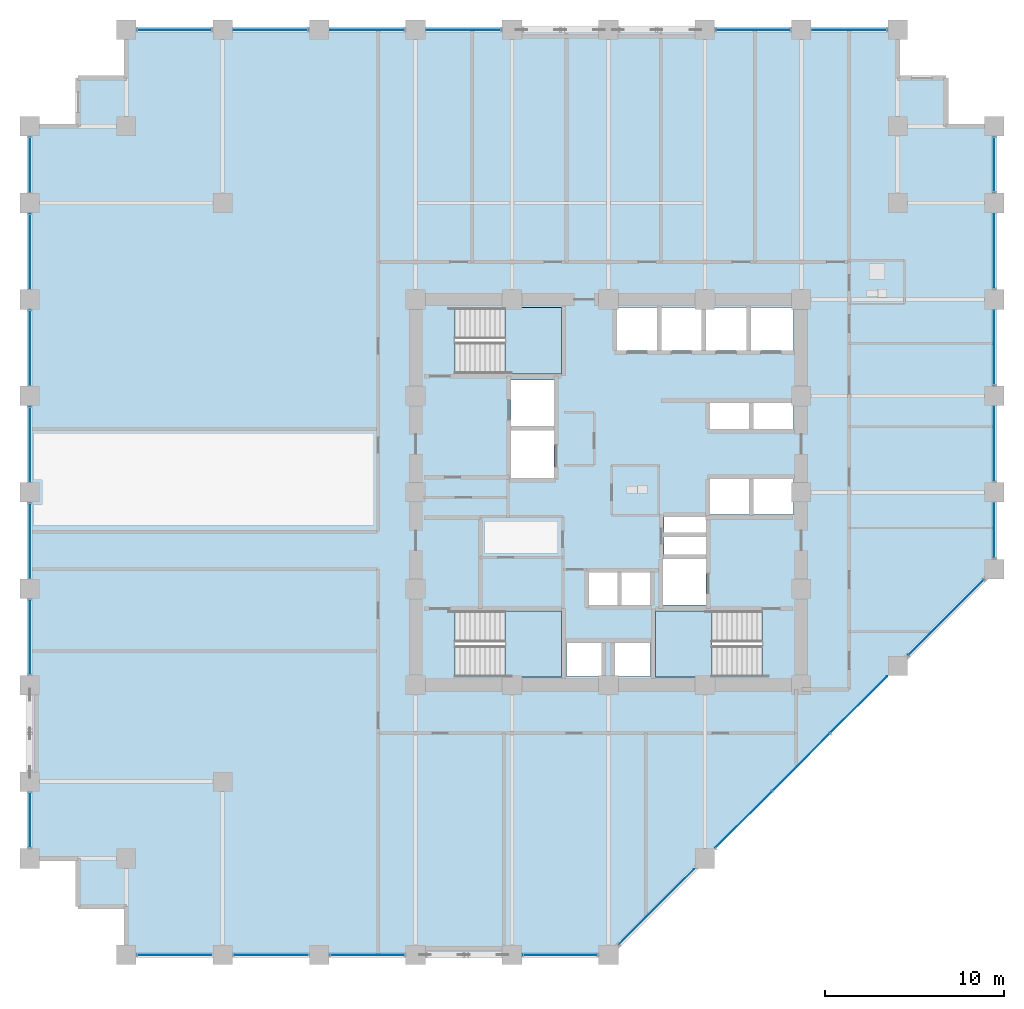
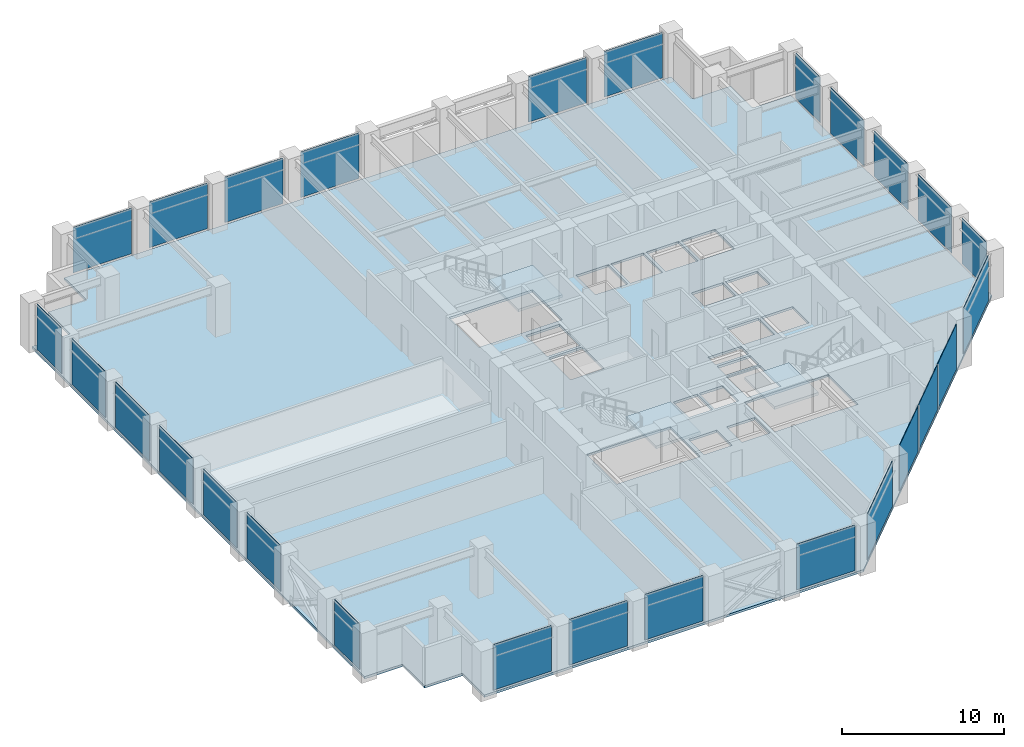
# One storey, part 17 of 25: 27 plates, 4 slabs, 11 elements without a shape of their own.
"""IFC4 building model written with IfcOpenShell, lengths in metres."""

from ifc_helpers import new_model, si_unit, direction, frame, frame_2d, origin, place, context, subcontext, project, spatial, polyline, rectangle, outline, extrude, material, layer, layer_set, type_object, element, aggregate, save


model = new_model("IFC4")

# Units and contexts
model_context = context("Model", 3, precision=1e-05, world=origin(), true_north=direction((0.0, 1.0)))
body_context = subcontext(model_context, "Body", "Model", "MODEL_VIEW")
ifc_project = project(units=[si_unit("LENGTHUNIT", "METRE"), si_unit("AREAUNIT", "SQUARE_METRE"), si_unit("VOLUMEUNIT", "CUBIC_METRE"), si_unit("PLANEANGLEUNIT", "RADIAN"), si_unit("MASSUNIT", "GRAM", prefix="KILO")], contexts=[model_context])

# Site, building, storey
site_placement = place(None, origin())
site = spatial("IfcSite", under=ifc_project, at=site_placement, CompositionType="ELEMENT")
building_placement = place(site_placement, origin())
building = spatial("IfcBuilding", under=site, at=building_placement, Name="Surkhivell Harbour Commons", CompositionType="ELEMENT")
storey_placement = place(building_placement, frame((0.0, 0.0, 124.5)))
storey = spatial("IfcBuildingStorey", under=building, at=storey_placement, Name="L32", CompositionType="ELEMENT", Elevation=124.5)

# Curtain wall, plates
ifc_material_1 = material(Name="Anodised pale-metal aluminium and insulated glazing", Category="aluminium")
ifc_layer_1 = layer(ifc_material_1, 0.205078125)
ifc_layer_set_1 = layer_set([ifc_layer_1], Name="Anodised pale-metal aluminium and insulated glazing")
curtain_wall_type = type_object("IfcCurtainWallType", Name="CW-SYS-Z2", PredefinedType="NOTDEFINED", material=ifc_layer_set_1)
curtain_wall_1_placement = place(storey_placement, origin())
curtain_wall_1 = element("IfcCurtainWall", 1, at=curtain_wall_1_placement, inside=storey, type_object=curtain_wall_type, Name="L32 Curtain Wall CW-L32-E00S1", PredefinedType="NOTDEFINED")
ifc_material_2 = material(Name="High-pressure typhoon laminated vision glass", Category="glass")
ifc_layer_2 = layer(ifc_material_2, 0.035888671875)
ifc_layer_set_2 = layer_set([ifc_layer_2], Name="High-pressure typhoon laminated vision glass")
plate_type = type_object("IfcPlateType", Name="CWP-GLZ-36", PredefinedType="CURTAIN_PANEL", material=ifc_layer_set_2)
plate_1_placement = place(storey_placement, frame((-26.373046875, -25.89990234375, 0.14990234375), z_axis=(0.0, 0.0, 1.0), x_axis=(1.0, 0.0, 0.0)))
plate_1 = element("IfcPlate", 2, at=plate_1_placement, type_object=plate_type, Name="CW-Z2 panel 1.1", PredefinedType="CURTAIN_PANEL", context=body_context, shape_type="SweptSolid", body=[
    extrude(rectangle(XDim=4.14599609375, YDim=0.035888671875, at=frame_2d((2.072998046875, 0.0))), origin(), (0.0, 0.0, 1.0), 3.420166015625),
])
plate_2_placement = place(storey_placement, frame((-20.972900390625, -25.89990234375, 0.14990234375), z_axis=(0.0, 0.0, 1.0), x_axis=(1.0, 0.0, 0.0)))
plate_2 = element("IfcPlate", 3, at=plate_2_placement, type_object=plate_type, Name="CW-Z2 panel 2.1", PredefinedType="CURTAIN_PANEL", context=body_context, shape_type="SweptSolid", body=[
    extrude(rectangle(XDim=4.14599609375, YDim=0.035888671875, at=frame_2d((2.072998046875, 0.0))), origin(), (0.0, 0.0, 1.0), 3.420166015625),
])
plate_3_placement = place(storey_placement, frame((-15.572998046875, -25.89990234375, 0.14990234375), z_axis=(0.0, 0.0, 1.0), x_axis=(1.0, 0.0, 0.0)))
plate_3 = element("IfcPlate", 4, at=plate_3_placement, type_object=plate_type, Name="CW-Z2 panel 3.1", PredefinedType="CURTAIN_PANEL", context=body_context, shape_type="SweptSolid", body=[
    extrude(rectangle(XDim=4.14599609375, YDim=0.035888671875, at=frame_2d((2.072998046875, 0.0))), origin(), (0.0, 0.0, 1.0), 3.420166015625),
])
aggregate(curtain_wall_1, [plate_1, plate_2, plate_3])

# Curtain wall, plate
curtain_wall_2_placement = place(storey_placement, origin())
curtain_wall_2 = element("IfcCurtainWall", 5, at=curtain_wall_2_placement, inside=storey, type_object=curtain_wall_type, Name="L32 Curtain Wall CW-L32-E00S2", PredefinedType="NOTDEFINED")
plate_4_placement = place(storey_placement, frame((-4.77294921875, -25.89990234375, 0.14990234375), z_axis=(0.0, 0.0, 1.0), x_axis=(1.0, 0.0, 0.0)))
plate_4 = element("IfcPlate", 6, at=plate_4_placement, type_object=plate_type, Name="CW-Z2 panel 1.1", PredefinedType="CURTAIN_PANEL", context=body_context, shape_type="SweptSolid", body=[
    extrude(rectangle(XDim=4.14599609375, YDim=0.035888671875, at=frame_2d((2.072998046875, 0.0))), origin(), (0.0, 0.0, 1.0), 3.420166015625),
])
aggregate(curtain_wall_2, [plate_4])

# Curtain wall, plates
curtain_wall_3_placement = place(storey_placement, origin())
curtain_wall_3 = element("IfcCurtainWall", 7, at=curtain_wall_3_placement, inside=storey, type_object=curtain_wall_type, Name="L32 Curtain Wall CW-L32-E01", PredefinedType="NOTDEFINED")
plate_5_placement = place(storey_placement, frame((0.604736328125, -25.295166015625, 0.14990234375), z_axis=(0.0, 0.0, 1.0), x_axis=(0.707106781187, 0.707106781187, 0.0)))
plate_5 = element("IfcPlate", 8, at=plate_5_placement, type_object=plate_type, Name="CW-Z2 panel 1.1", PredefinedType="CURTAIN_PANEL", context=body_context, shape_type="SweptSolid", body=[
    extrude(rectangle(XDim=5.92626953125, YDim=0.035888671875, at=frame_2d((2.963134765625, 0.0))), origin(), (0.0, 0.0, 1.0), 3.420166015625),
])
plate_6_placement = place(storey_placement, frame((6.004638671875, -19.895263671875, 0.14990234375), z_axis=(0.0, 0.0, 1.0), x_axis=(0.707134159244, 0.707079402069, 0.0)))
plate_6 = element("IfcPlate", 9, at=plate_6_placement, type_object=plate_type, Name="CW-Z2 panel 2.1", PredefinedType="CURTAIN_PANEL", context=body_context, shape_type="SweptSolid", body=[
    extrude(rectangle(XDim=4.45849609375, YDim=0.035888671875, at=frame_2d((2.229248046875, 0.0))), origin(), (0.0, 0.0, 1.0), 3.420166015625),
])
plate_7_placement = place(storey_placement, frame((9.21044921875, -16.689697265625, 0.14990234375), z_axis=(0.0, 0.0, 1.0), x_axis=(0.707106781187, 0.707106781187, 0.0)))
plate_7 = element("IfcPlate", 10, at=plate_7_placement, type_object=plate_type, Name="CW-Z2 panel 3.1", PredefinedType="CURTAIN_PANEL", context=body_context, shape_type="SweptSolid", body=[
    extrude(rectangle(XDim=4.49609375, YDim=0.035888671875, at=frame_2d((2.248046875, 0.0))), origin(), (0.0, 0.0, 1.0), 3.420166015625),
])
plate_8_placement = place(storey_placement, frame((12.442626953125, -13.457275390625, 0.14990234375), z_axis=(0.0, 0.0, 1.0), x_axis=(0.707106781187, 0.707106781187, 0.0)))
plate_8 = element("IfcPlate", 11, at=plate_8_placement, type_object=plate_type, Name="CW-Z2 panel 4.1", PredefinedType="CURTAIN_PANEL", context=body_context, shape_type="SweptSolid", body=[
    extrude(rectangle(XDim=4.45849609375, YDim=0.035888671875, at=frame_2d((2.229248046875, 0.0))), origin(), (0.0, 0.0, 1.0), 3.420166015625),
])
plate_9_placement = place(storey_placement, frame((16.8046875, -9.09521484375, 0.14990234375), z_axis=(0.0, 0.0, 1.0), x_axis=(0.707127378829, 0.707086182944, 0.0)))
plate_9 = element("IfcPlate", 12, at=plate_9_placement, type_object=plate_type, Name="CW-Z2 panel 5.1", PredefinedType="CURTAIN_PANEL", context=body_context, shape_type="SweptSolid", body=[
    extrude(rectangle(XDim=5.92626953125, YDim=0.035888671875, at=frame_2d((2.963134765625, 0.0))), origin(), (0.0, 0.0, 1.0), 3.420166015625),
])
aggregate(curtain_wall_3, [plate_5, plate_6, plate_7, plate_8, plate_9])

curtain_wall_4_placement = place(storey_placement, origin())
curtain_wall_4 = element("IfcCurtainWall", 13, at=curtain_wall_4_placement, inside=storey, type_object=curtain_wall_type, Name="L32 Curtain Wall CW-L32-E02", PredefinedType="NOTDEFINED")
plate_10_placement = place(storey_placement, frame((21.60009765625, -3.673095703125, 0.14990234375), z_axis=(0.0, 0.0, 1.0), x_axis=(0.0, 1.0, 0.0)))
plate_10 = element("IfcPlate", 14, at=plate_10_placement, type_object=plate_type, Name="CW-Z2 panel 1.1", PredefinedType="CURTAIN_PANEL", context=body_context, shape_type="SweptSolid", body=[
    extrude(rectangle(XDim=3.046142578125, YDim=0.035888671875, at=frame_2d((1.52294921875, 0.0))), origin(), (0.0, 0.0, 1.0), 3.420166015625),
])
plate_11_placement = place(storey_placement, frame((21.60009765625, 0.626953125, 0.14990234375), z_axis=(0.0, 0.0, 1.0), x_axis=(0.0, 1.0, 0.0)))
plate_11 = element("IfcPlate", 15, at=plate_11_placement, type_object=plate_type, Name="CW-Z2 panel 2.1", PredefinedType="CURTAIN_PANEL", context=body_context, shape_type="SweptSolid", body=[
    extrude(rectangle(XDim=4.14599609375, YDim=0.035888671875, at=frame_2d((2.072998046875, 0.0))), origin(), (0.0, 0.0, 1.0), 3.420166015625),
])
plate_12_placement = place(storey_placement, frame((21.60009765625, 6.027099609375, 0.14990234375), z_axis=(0.0, 0.0, 1.0), x_axis=(0.0, 1.0, 0.0)))
plate_12 = element("IfcPlate", 16, at=plate_12_placement, type_object=plate_type, Name="CW-Z2 panel 3.1", PredefinedType="CURTAIN_PANEL", context=body_context, shape_type="SweptSolid", body=[
    extrude(rectangle(XDim=4.14599609375, YDim=0.035888671875, at=frame_2d((2.072998046875, 0.0))), origin(), (0.0, 0.0, 1.0), 3.420166015625),
])
plate_13_placement = place(storey_placement, frame((21.60009765625, 11.427001953125, 0.14990234375), z_axis=(0.0, 0.0, 1.0), x_axis=(0.0, 1.0, 0.0)))
plate_13 = element("IfcPlate", 17, at=plate_13_placement, type_object=plate_type, Name="CW-Z2 panel 4.1", PredefinedType="CURTAIN_PANEL", context=body_context, shape_type="SweptSolid", body=[
    extrude(rectangle(XDim=4.14599609375, YDim=0.035888671875, at=frame_2d((2.072998046875, 0.0))), origin(), (0.0, 0.0, 1.0), 3.420166015625),
])
plate_14_placement = place(storey_placement, frame((21.60009765625, 16.826904296875, 0.14990234375), z_axis=(0.0, 0.0, 1.0), x_axis=(0.0, 1.0, 0.0)))
plate_14 = element("IfcPlate", 18, at=plate_14_placement, type_object=plate_type, Name="CW-Z2 panel 5.1", PredefinedType="CURTAIN_PANEL", context=body_context, shape_type="SweptSolid", body=[
    extrude(rectangle(XDim=3.046142578125, YDim=0.035888671875, at=frame_2d((1.52294921875, 0.0))), origin(), (0.0, 0.0, 1.0), 3.420166015625),
])
aggregate(curtain_wall_4, [plate_10, plate_11, plate_12, plate_13, plate_14])

curtain_wall_5_placement = place(storey_placement, origin())
curtain_wall_5 = element("IfcCurtainWall", 19, at=curtain_wall_5_placement, inside=storey, type_object=curtain_wall_type, Name="L32 Curtain Wall CW-L32-E07S1", PredefinedType="NOTDEFINED")
plate_15_placement = place(storey_placement, frame((15.572998046875, 25.89990234375, 0.14990234375), z_axis=(0.0, 0.0, 1.0), x_axis=(-1.0, 0.0, 0.0)))
plate_15 = element("IfcPlate", 20, at=plate_15_placement, type_object=plate_type, Name="CW-Z2 panel 1.1", PredefinedType="CURTAIN_PANEL", context=body_context, shape_type="SweptSolid", body=[
    extrude(rectangle(XDim=4.14599609375, YDim=0.035888671875, at=frame_2d((2.072998046875, 0.0))), origin(), (0.0, 0.0, 1.0), 3.420166015625),
])
plate_16_placement = place(storey_placement, frame((10.173095703125, 25.89990234375, 0.14990234375), z_axis=(0.0, 0.0, 1.0), x_axis=(-1.0, 0.0, 0.0)))
plate_16 = element("IfcPlate", 21, at=plate_16_placement, type_object=plate_type, Name="CW-Z2 panel 2.1", PredefinedType="CURTAIN_PANEL", context=body_context, shape_type="SweptSolid", body=[
    extrude(rectangle(XDim=4.14599609375, YDim=0.035888671875, at=frame_2d((2.072998046875, 0.0))), origin(), (0.0, 0.0, 1.0), 3.420166015625),
])
aggregate(curtain_wall_5, [plate_15, plate_16])

curtain_wall_6_placement = place(storey_placement, origin())
curtain_wall_6 = element("IfcCurtainWall", 22, at=curtain_wall_6_placement, inside=storey, type_object=curtain_wall_type, Name="L32 Curtain Wall CW-L32-E07S2", PredefinedType="NOTDEFINED")
plate_17_placement = place(storey_placement, frame((-6.027099609375, 25.89990234375, 0.14990234375), z_axis=(0.0, 0.0, 1.0), x_axis=(-1.0, 0.0, 0.0)))
plate_17 = element("IfcPlate", 23, at=plate_17_placement, type_object=plate_type, Name="CW-Z2 panel 1.1", PredefinedType="CURTAIN_PANEL", context=body_context, shape_type="SweptSolid", body=[
    extrude(rectangle(XDim=4.14599609375, YDim=0.035888671875, at=frame_2d((2.072998046875, 0.0))), origin(), (0.0, 0.0, 1.0), 3.420166015625),
])
plate_18_placement = place(storey_placement, frame((-11.427001953125, 25.89990234375, 0.14990234375), z_axis=(0.0, 0.0, 1.0), x_axis=(-1.0, 0.0, 0.0)))
plate_18 = element("IfcPlate", 24, at=plate_18_placement, type_object=plate_type, Name="CW-Z2 panel 2.1", PredefinedType="CURTAIN_PANEL", context=body_context, shape_type="SweptSolid", body=[
    extrude(rectangle(XDim=4.14599609375, YDim=0.035888671875, at=frame_2d((2.072998046875, 0.0))), origin(), (0.0, 0.0, 1.0), 3.420166015625),
])
plate_19_placement = place(storey_placement, frame((-16.826904296875, 25.89990234375, 0.14990234375), z_axis=(0.0, 0.0, 1.0), x_axis=(-1.0, 0.0, 0.0)))
plate_19 = element("IfcPlate", 25, at=plate_19_placement, type_object=plate_type, Name="CW-Z2 panel 3.1", PredefinedType="CURTAIN_PANEL", context=body_context, shape_type="SweptSolid", body=[
    extrude(rectangle(XDim=4.14599609375, YDim=0.035888671875, at=frame_2d((2.072998046875, 0.0))), origin(), (0.0, 0.0, 1.0), 3.420166015625),
])
plate_20_placement = place(storey_placement, frame((-22.22705078125, 25.89990234375, 0.14990234375), z_axis=(0.0, 0.0, 1.0), x_axis=(-1.0, 0.0, 0.0)))
plate_20 = element("IfcPlate", 26, at=plate_20_placement, type_object=plate_type, Name="CW-Z2 panel 4.1", PredefinedType="CURTAIN_PANEL", context=body_context, shape_type="SweptSolid", body=[
    extrude(rectangle(XDim=4.14599609375, YDim=0.035888671875, at=frame_2d((2.072998046875, 0.0))), origin(), (0.0, 0.0, 1.0), 3.420166015625),
])
aggregate(curtain_wall_6, [plate_17, plate_18, plate_19, plate_20])

curtain_wall_7_placement = place(storey_placement, origin())
curtain_wall_7 = element("IfcCurtainWall", 27, at=curtain_wall_7_placement, inside=storey, type_object=curtain_wall_type, Name="L32 Curtain Wall CW-L32-E12S1", PredefinedType="NOTDEFINED")
plate_21_placement = place(storey_placement, frame((-32.39990234375, 19.873046875, 0.14990234375), z_axis=(0.0, 0.0, 1.0), x_axis=(0.0, -1.0, 0.0)))
plate_21 = element("IfcPlate", 28, at=plate_21_placement, type_object=plate_type, Name="CW-Z2 panel 1.1", PredefinedType="CURTAIN_PANEL", context=body_context, shape_type="SweptSolid", body=[
    extrude(rectangle(XDim=3.046142578125, YDim=0.035888671875, at=frame_2d((1.52294921875, 0.0))), origin(), (0.0, 0.0, 1.0), 3.420166015625),
])
plate_22_placement = place(storey_placement, frame((-32.39990234375, 15.572998046875, 0.14990234375), z_axis=(0.0, 0.0, 1.0), x_axis=(0.0, -1.0, 0.0)))
plate_22 = element("IfcPlate", 29, at=plate_22_placement, type_object=plate_type, Name="CW-Z2 panel 2.1", PredefinedType="CURTAIN_PANEL", context=body_context, shape_type="SweptSolid", body=[
    extrude(rectangle(XDim=4.14599609375, YDim=0.035888671875, at=frame_2d((2.072998046875, 0.0))), origin(), (0.0, 0.0, 1.0), 3.420166015625),
])
plate_23_placement = place(storey_placement, frame((-32.39990234375, 10.173095703125, 0.14990234375), z_axis=(0.0, 0.0, 1.0), x_axis=(0.0, -1.0, 0.0)))
plate_23 = element("IfcPlate", 30, at=plate_23_placement, type_object=plate_type, Name="CW-Z2 panel 3.1", PredefinedType="CURTAIN_PANEL", context=body_context, shape_type="SweptSolid", body=[
    extrude(rectangle(XDim=4.14599609375, YDim=0.035888671875, at=frame_2d((2.072998046875, 0.0))), origin(), (0.0, 0.0, 1.0), 3.420166015625),
])
plate_24_placement = place(storey_placement, frame((-32.39990234375, 4.77294921875, 0.14990234375), z_axis=(0.0, 0.0, 1.0), x_axis=(0.0, -1.0, 0.0)))
plate_24 = element("IfcPlate", 31, at=plate_24_placement, type_object=plate_type, Name="CW-Z2 panel 4.1", PredefinedType="CURTAIN_PANEL", context=body_context, shape_type="SweptSolid", body=[
    extrude(rectangle(XDim=4.14599609375, YDim=0.035888671875, at=frame_2d((2.072998046875, 0.0))), origin(), (0.0, 0.0, 1.0), 3.420166015625),
])
plate_25_placement = place(storey_placement, frame((-32.39990234375, -0.626953125, 0.14990234375), z_axis=(0.0, 0.0, 1.0), x_axis=(0.0, -1.0, 0.0)))
plate_25 = element("IfcPlate", 32, at=plate_25_placement, type_object=plate_type, Name="CW-Z2 panel 5.1", PredefinedType="CURTAIN_PANEL", context=body_context, shape_type="SweptSolid", body=[
    extrude(rectangle(XDim=4.14599609375, YDim=0.035888671875, at=frame_2d((2.072998046875, 0.0))), origin(), (0.0, 0.0, 1.0), 3.420166015625),
])
plate_26_placement = place(storey_placement, frame((-32.39990234375, -6.027099609375, 0.14990234375), z_axis=(0.0, 0.0, 1.0), x_axis=(0.0, -1.0, 0.0)))
plate_26 = element("IfcPlate", 33, at=plate_26_placement, type_object=plate_type, Name="CW-Z2 panel 6.1", PredefinedType="CURTAIN_PANEL", context=body_context, shape_type="SweptSolid", body=[
    extrude(rectangle(XDim=4.14599609375, YDim=0.035888671875, at=frame_2d((2.072998046875, 0.0))), origin(), (0.0, 0.0, 1.0), 3.420166015625),
])
aggregate(curtain_wall_7, [plate_21, plate_22, plate_23, plate_24, plate_25, plate_26])

# Curtain wall, plate
curtain_wall_8_placement = place(storey_placement, origin())
curtain_wall_8 = element("IfcCurtainWall", 34, at=curtain_wall_8_placement, inside=storey, type_object=curtain_wall_type, Name="L32 Curtain Wall CW-L32-E12S2", PredefinedType="NOTDEFINED")
plate_27_placement = place(storey_placement, frame((-32.39990234375, -16.826904296875, 0.14990234375), z_axis=(0.0, 0.0, 1.0), x_axis=(0.0, -1.0, 0.0)))
plate_27 = element("IfcPlate", 35, at=plate_27_placement, type_object=plate_type, Name="CW-Z2 panel 1.1", PredefinedType="CURTAIN_PANEL", context=body_context, shape_type="SweptSolid", body=[
    extrude(rectangle(XDim=3.046142578125, YDim=0.035888671875, at=frame_2d((1.52294921875, 0.0))), origin(), (0.0, 0.0, 1.0), 3.420166015625),
])
aggregate(curtain_wall_8, [plate_27])

# Stair, slab
ifc_material_3 = material(Name="Precast concrete C45/55", Category="concrete")
stair_type = type_object("IfcStairType", Name="STR-DL-375", PredefinedType="HALF_TURN_STAIR", material=ifc_material_3)
stair_1_placement = place(storey_placement, origin())
stair_1 = element("IfcStair", 36, at=stair_1_placement, inside=storey, type_object=stair_type, Name="L32 Core Exit Stair ST1", PredefinedType="HALF_TURN_STAIR")
ifc_material_4 = material(Name="Reinforced concrete C45/55", Category="concrete")
ifc_layer_3 = layer(ifc_material_4, 0.199951171875)
ifc_layer_set_3 = layer_set([ifc_layer_3], Name="Reinforced concrete C45/55")
slab_type_1 = type_object("IfcSlabType", Name="SLB-ST-LND200", PredefinedType="LANDING", material=ifc_layer_set_3)
slab_1_placement = place(storey_placement, frame((0.0, 0.0, 1.675048828125)))
slab_1 = element("IfcSlab", 37, at=slab_1_placement, type_object=slab_type_1, Name="ST1 landing 1", PredefinedType="LANDING", context=body_context, shape_type="SweptSolid", body=[
    extrude(outline(polyline([(-5.7900390625, 6.639892578125), (-2.639892578125, 6.639892578125), (-2.639892578125, 10.340087890625), (-5.7900390625, 10.340087890625), (-5.7900390625, 6.639892578125)])), origin(), (0.0, 0.0, 1.0), 0.199951171875),
])
aggregate(stair_1, [slab_1])

stair_2_placement = place(storey_placement, origin())
stair_2 = element("IfcStair", 38, at=stair_2_placement, inside=storey, type_object=stair_type, Name="L32 Core Exit Stair ST2", PredefinedType="HALF_TURN_STAIR")
slab_2_placement = place(storey_placement, frame((0.0, 0.0, 1.675048828125)))
slab_2 = element("IfcSlab", 39, at=slab_2_placement, type_object=slab_type_1, Name="ST2 landing 1", PredefinedType="LANDING", context=body_context, shape_type="SweptSolid", body=[
    extrude(outline(polyline([(5.7900390625, -6.639892578125), (2.639892578125, -6.639892578125), (2.639892578125, -10.340087890625), (5.7900390625, -10.340087890625), (5.7900390625, -6.639892578125)])), origin(), (0.0, 0.0, 1.0), 0.199951171875),
])
aggregate(stair_2, [slab_2])

stair_3_placement = place(storey_placement, origin())
stair_3 = element("IfcStair", 40, at=stair_3_placement, inside=storey, type_object=stair_type, Name="L32 Core Exit Stair ST3", PredefinedType="HALF_TURN_STAIR")
slab_3_placement = place(storey_placement, frame((0.0, 0.0, 1.675048828125)))
slab_3 = element("IfcSlab", 41, at=slab_3_placement, type_object=slab_type_1, Name="ST3 landing 1", PredefinedType="LANDING", context=body_context, shape_type="SweptSolid", body=[
    extrude(outline(polyline([(-5.7900390625, -10.340087890625), (-2.639892578125, -10.340087890625), (-2.639892578125, -6.639892578125), (-5.7900390625, -6.639892578125), (-5.7900390625, -10.340087890625)])), origin(), (0.0, 0.0, 1.0), 0.199951171875),
])
aggregate(stair_3, [slab_3])

# Slab
ifc_material_5 = material(Name="Concrete C45/55", Category="concrete")
ifc_layer_4 = layer(ifc_material_5, 0.179931640625)
ifc_layer_set_4 = layer_set([ifc_layer_4], Name="Concrete C45/55")
slab_type_2 = type_object("IfcSlabType", Name="SLB-TYP-180", PredefinedType="FLOOR", material=ifc_layer_set_4)
slab_4_placement = place(storey_placement, frame((0.0, 0.0, -0.179931640625)))
element("IfcSlab", 42, at=slab_4_placement, inside=storey, type_object=slab_type_2, Name="L32 Structural Floor Slab", PredefinedType="FLOOR", context=body_context, shape_type="SweptSolid", body=[
    extrude(outline(polyline([(-27.0, -25.89990234375), (0.0, -25.89990234375), (21.60009765625, -4.300048828125), (21.60009765625, 20.5), (18.89990234375, 20.5), (18.89990234375, 23.199951171875), (16.199951171875, 23.199951171875), (16.199951171875, 25.89990234375), (-27.0, 25.89990234375), (-27.0, 23.199951171875), (-29.699951171875, 23.199951171875), (-29.699951171875, 20.5), (-32.39990234375, 20.5), (-32.39990234375, -20.5), (-29.699951171875, -20.5), (-29.699951171875, -23.199951171875), (-27.0, -23.199951171875), (-27.0, -25.89990234375)]), holes=[polyline([(-8.590087890625, 6.639892578125), (-2.639892578125, 6.639892578125), (-2.639892578125, 10.340087890625), (-8.590087890625, 10.340087890625), (-8.590087890625, 6.639892578125)]), polyline([(8.590087890625, -6.639892578125), (2.639892578125, -6.639892578125), (2.639892578125, -10.340087890625), (8.590087890625, -10.340087890625), (8.590087890625, -6.639892578125)]), polyline([(-8.590087890625, -10.340087890625), (-2.639892578125, -10.340087890625), (-2.639892578125, -6.639892578125), (-8.590087890625, -6.639892578125), (-8.590087890625, -10.340087890625)]), polyline([(0.449951171875, 7.949951171875), (2.75, 7.949951171875), (2.75, 10.35009765625), (0.449951171875, 10.35009765625), (0.449951171875, 7.949951171875)]), polyline([(2.949951171875, 7.949951171875), (5.25, 7.949951171875), (5.25, 10.35009765625), (2.949951171875, 10.35009765625), (2.949951171875, 7.949951171875)]), polyline([(5.449951171875, 7.949951171875), (7.75, 7.949951171875), (7.75, 10.35009765625), (5.449951171875, 10.35009765625), (5.449951171875, 7.949951171875)]), polyline([(7.949951171875, 7.949951171875), (10.35009765625, 7.949951171875), (10.35009765625, 10.35009765625), (7.949951171875, 10.35009765625), (7.949951171875, 7.949951171875)]), polyline([(5.64990234375, 3.550048828125), (7.89990234375, 3.550048828125), (7.89990234375, 5.14990234375), (5.64990234375, 5.14990234375), (5.64990234375, 3.550048828125)]), polyline([(8.10009765625, 3.550048828125), (10.35009765625, 3.550048828125), (10.35009765625, 5.14990234375), (8.10009765625, 5.14990234375), (8.10009765625, 3.550048828125)]), polyline([(5.64990234375, -1.25), (7.89990234375, -1.25), (7.89990234375, 0.75), (5.64990234375, 0.75), (5.64990234375, -1.25)]), polyline([(8.10009765625, -1.25), (10.35009765625, -1.25), (10.35009765625, 0.75), (8.10009765625, 0.75), (8.10009765625, -1.25)]), polyline([(-1.14990234375, -6.35009765625), (0.550048828125, -6.35009765625), (0.550048828125, -4.449951171875), (-1.14990234375, -4.449951171875), (-1.14990234375, -6.35009765625)]), polyline([(0.679931640625, -6.35009765625), (2.3798828125, -6.35009765625), (2.3798828125, -4.449951171875), (0.679931640625, -4.449951171875), (0.679931640625, -6.35009765625)]), polyline([(-2.35009765625, -10.300048828125), (-0.35009765625, -10.300048828125), (-0.35009765625, -8.39990234375), (-2.35009765625, -8.39990234375), (-2.35009765625, -10.300048828125)]), polyline([(0.35009765625, -10.300048828125), (2.35009765625, -10.300048828125), (2.35009765625, -8.39990234375), (0.35009765625, -8.39990234375), (0.35009765625, -10.300048828125)]), polyline([(-5.449951171875, 3.699951171875), (-3.050048828125, 3.699951171875), (-3.050048828125, 6.300048828125), (-5.449951171875, 6.300048828125), (-5.449951171875, 3.699951171875)]), polyline([(3.050048828125, -6.300048828125), (5.449951171875, -6.300048828125), (5.449951171875, -3.699951171875), (3.050048828125, -3.699951171875), (3.050048828125, -6.300048828125)]), polyline([(-5.449951171875, 0.800048828125), (-3.050048828125, 0.800048828125), (-3.050048828125, 3.5), (-5.449951171875, 3.5), (-5.449951171875, 0.800048828125)]), polyline([(3.10009765625, -3.550048828125), (5.449951171875, -3.550048828125), (5.449951171875, -2.47998046875), (3.10009765625, -2.47998046875), (3.10009765625, -3.550048828125)]), polyline([(3.10009765625, -2.280029296875), (5.449951171875, -2.280029296875), (5.449951171875, -1.35009765625), (3.10009765625, -1.35009765625), (3.10009765625, -2.280029296875)])]), origin(), (0.0, 0.0, 1.0), 0.179931640625),
])

save(model, "model.ifc")
